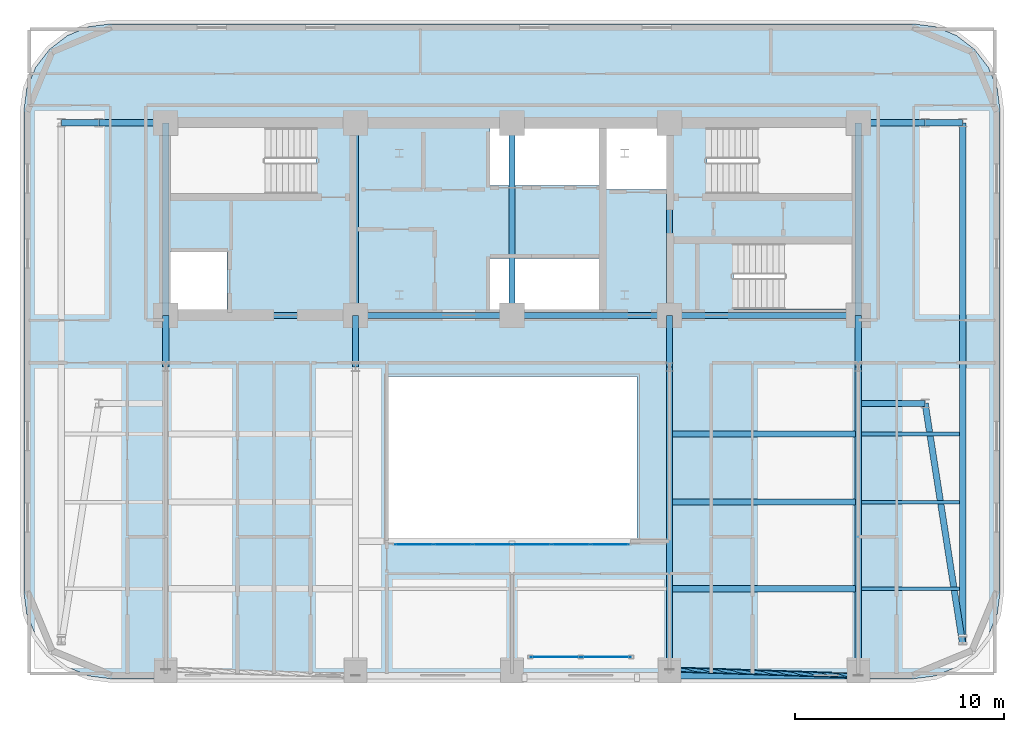
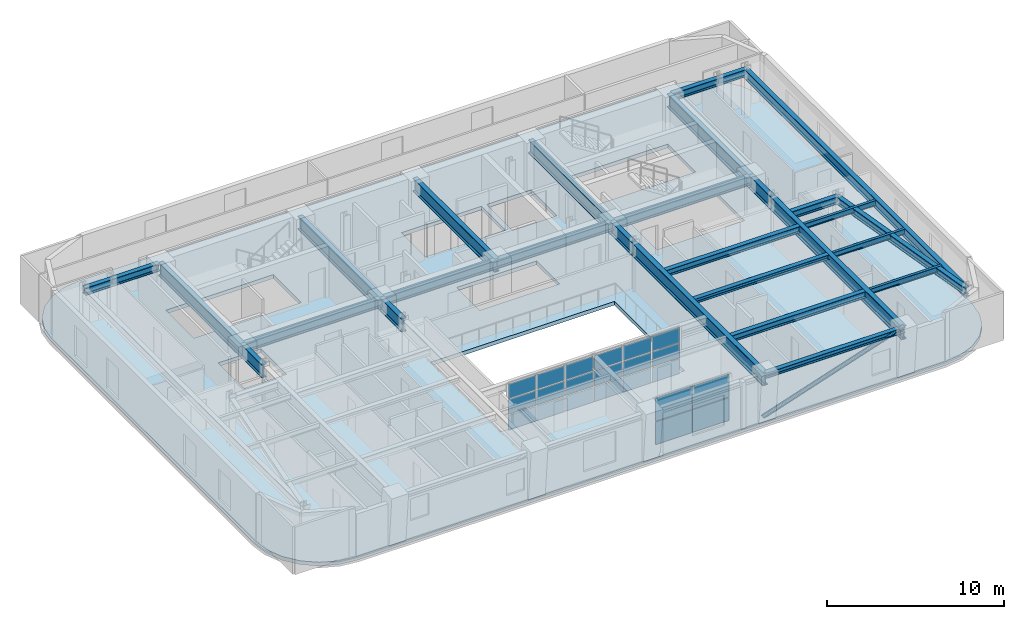
# One storey, part 3 of 13: 29 beams, 22 plates, 1 member, 1 slab, 2 elements without a shape of their own.
"""IFC4 building model written with IfcOpenShell, lengths in metres."""

from ifc_helpers import new_model, si_unit, direction, frame, origin, origin_2d, place, context, subcontext, project, spatial, polyline, rectangle, hollow_circle, i_section, outline, extrude, material, layer, layer_set, material_profile, profile_set, type_object, element, aggregate, save


model = new_model("IFC4")

# Units and contexts
model_context = context("Model", 3, precision=1e-05, world=origin(), true_north=direction((0.0, 1.0)))
body_context = subcontext(model_context, "Body", "Model", "MODEL_VIEW")
ifc_project = project(units=[si_unit("LENGTHUNIT", "METRE"), si_unit("AREAUNIT", "SQUARE_METRE"), si_unit("VOLUMEUNIT", "CUBIC_METRE"), si_unit("PLANEANGLEUNIT", "RADIAN"), si_unit("MASSUNIT", "GRAM", prefix="KILO")], contexts=[model_context])

# Site, building, storey
site_placement = place(None, origin())
site = spatial("IfcSite", under=ifc_project, at=site_placement, CompositionType="ELEMENT")
building_placement = place(site_placement, origin())
building = spatial("IfcBuilding", under=site, at=building_placement, Name="Zarnavel Station Tower", CompositionType="ELEMENT")
storey_placement = place(building_placement, frame((0.0, 0.0, 169.64990234375)))
storey = spatial("IfcBuildingStorey", under=building, at=storey_placement, Name="L46", CompositionType="ELEMENT", Elevation=169.64990234375)

# Member
ifc_material_1 = material(Name="Steel S355J2", Category="steel")
ifc_material_profile_1 = material_profile(ifc_material_1, hollow_circle(Radius=0.122314453125, WallThickness=0.010009765625, at=origin_2d()), Name="CHS244.5x10")
ifc_profile_set_1 = profile_set([ifc_material_profile_1], Name="Steel S355J2")
member_type = type_object("IfcMemberType", Name="DB_EXT_CHS245", PredefinedType="BRACE", material=ifc_profile_set_1)
member_placement = place(storey_placement, frame((36.35009765625, 10.854248046875, 0.0), z_axis=(0.939370056938, -0.030942344867, 0.341506174795), x_axis=(0.032921607344, 0.999457936969, 0.0)))
element("IfcMember", 1, at=member_placement, inside=storey, type_object=member_type, Name="L46 Persian Exterior Diagonal Frame Brace 2", PredefinedType="BRACE", context=body_context, shape_type="SweptSolid", body=[
    extrude(hollow_circle(Radius=0.122314453125, WallThickness=0.010009765625, at=origin_2d()), origin(), (0.0, 0.0, 1.0), 9.6337890625),
])

# Beams
ifc_material_2 = material(Name="Steel S355J2", Category="steel")
ifc_material_profile_2 = material_profile(ifc_material_2, i_section(OverallWidth=0.300048828125, OverallDepth=0.360107421875, WebThickness=0.012451171875, FlangeThickness=0.0224609375, FilletRadius=0.027099609375, at=origin_2d()), Name="HEB360")
ifc_profile_set_2 = profile_set([ifc_material_profile_2], Name="Steel S355J2")
beam_type_1 = type_object("IfcBeamType", Name="EB_HEB360", PredefinedType="SPANDREL", material=ifc_profile_set_2)
beam_1_placement = place(storey_placement, frame((36.35009765625, 10.55615234375, 3.110107421875), z_axis=(1.0, 0.0, 0.0), x_axis=(0.0, 1.0, 0.0)))
element("IfcBeam", 2, at=beam_1_placement, inside=storey, type_object=beam_type_1, Name="L46 South Raked Spandrel 4", PredefinedType="SPANDREL", context=body_context, shape_type="SweptSolid", body=[
    extrude(i_section(OverallWidth=0.300048828125, OverallDepth=0.360107421875, WebThickness=0.012451171875, FlangeThickness=0.0224609375, FilletRadius=0.027099609375, at=origin_2d()), origin(), (0.0, 0.0, 1.0), 9.0498046875),
])
ifc_material_3 = material(Name="Steel S355J2", Category="steel")
ifc_material_profile_3 = material_profile(ifc_material_3, i_section(OverallWidth=0.300048828125, OverallDepth=0.31005859375, WebThickness=0.009033203125, FlangeThickness=0.015380859375, FilletRadius=0.027099609375, at=origin_2d()), Name="HEA320")
ifc_profile_set_3 = profile_set([ifc_material_profile_3], Name="Steel S355J2")
beam_type_2 = type_object("IfcBeamType", Name="FB_HEA320", PredefinedType="BEAM", material=ifc_profile_set_3)
beam_2_placement = place(storey_placement, frame((36.4951171875, 18.878173828125, 3.135009765625), z_axis=(1.0, 0.0, 0.0), x_axis=(0.0, 1.0, 0.0)))
element("IfcBeam", 3, at=beam_2_placement, inside=storey, type_object=beam_type_2, Name="L46 East Bay Beam 2", PredefinedType="BEAM", context=body_context, shape_type="SweptSolid", body=[
    extrude(i_section(OverallWidth=0.300048828125, OverallDepth=0.31005859375, WebThickness=0.009033203125, FlangeThickness=0.015380859375, FilletRadius=0.027099609375, at=origin_2d()), origin(), (0.0, 0.0, 1.0), 8.759765625),
])
ifc_material_4 = material(Name="Steel S355J2", Category="steel")
ifc_material_profile_4 = material_profile(ifc_material_4, i_section(OverallWidth=0.300048828125, OverallDepth=0.43994140625, WebThickness=0.011474609375, FlangeThickness=0.02099609375, FilletRadius=0.027099609375, at=origin_2d()), Name="HEA450")
ifc_profile_set_4 = profile_set([ifc_material_profile_4], Name="Steel S355J2")
beam_type_3 = type_object("IfcBeamType", Name="FB_HEA450", PredefinedType="BEAM", material=ifc_profile_set_4)
for number, where, z_axis, x_axis, name in (
    (4, (36.4951171875, 14.71728515625, 3.070068359375), (1.0, 0.0, 0.0), (0.0, 1.0, 0.0), "L46 East Bay Beam 1"),
    (5, (36.4951171875, 22.138916015625, 3.070068359375), (1.0, 0.0, 0.0), (0.0, 1.0, 0.0), "L46 East Bay Beam 3"),
):
    element("IfcBeam", number, at=place(storey_placement, frame(where, z_axis=z_axis, x_axis=x_axis)), inside=storey, type_object=beam_type_3, Name=name, PredefinedType="BEAM", context=body_context, shape_type="SweptSolid", body=[
        extrude(i_section(OverallWidth=0.300048828125, OverallDepth=0.43994140625, WebThickness=0.011474609375, FlangeThickness=0.02099609375, FilletRadius=0.027099609375, at=origin_2d()), origin(), (0.0, 0.0, 1.0), 8.759765625),
    ])
ifc_material_5 = material(Name="Steel S355J2", Category="steel")
ifc_material_profile_5 = material_profile(ifc_material_5, i_section(OverallWidth=0.300048828125, OverallDepth=0.5, WebThickness=0.014404296875, FlangeThickness=0.028076171875, FilletRadius=0.027099609375, at=origin_2d()), Name="HEB500")
ifc_profile_set_5 = profile_set([ifc_material_profile_5], Name="Steel S355J2")
beam_type_4 = type_object("IfcBeamType", Name="FG_HEB500", PredefinedType="USERDEFINED", material=ifc_profile_set_5)
beam_3_placement = place(storey_placement, frame((7.199951171875, 37.050048828125, 3.0400390625), z_axis=(1.0, 0.0, 0.0), x_axis=(0.0, 1.0, 0.0)))
element("IfcBeam", 6, at=beam_3_placement, inside=storey, type_object=beam_type_4, Name="L46 West Wing North Tie 1", ObjectType="GIRDER", PredefinedType="USERDEFINED", context=body_context, shape_type="SweptSolid", body=[
    extrude(i_section(OverallWidth=0.300048828125, OverallDepth=0.5, WebThickness=0.014404296875, FlangeThickness=0.028076171875, FilletRadius=0.027099609375, at=origin_2d()), origin(), (0.0, 0.0, 1.0), 1.800048828125),
])
beam_4_placement = place(storey_placement, frame((9.0, 37.050048828125, 3.0400390625), z_axis=(1.0, 0.0, 0.0), x_axis=(0.0, 1.0, 0.0)))
element("IfcBeam", 7, at=beam_4_placement, inside=storey, type_object=beam_type_4, Name="L46 West Wing North Tie 2", ObjectType="GIRDER", PredefinedType="USERDEFINED", context=body_context, shape_type="SweptSolid", body=[
    extrude(i_section(OverallWidth=0.300048828125, OverallDepth=0.5, WebThickness=0.014404296875, FlangeThickness=0.028076171875, FilletRadius=0.027099609375, at=origin_2d()), origin(), (0.0, 0.0, 1.0), 3.054931640625),
])
for number, where, z_axis, x_axis, name in (
    (8, (45.544921875, 23.60009765625, 3.0400390625), (1.0, 0.0, 0.0), (0.0, 1.0, 0.0), "L46 East Wing South Tie 1"),
    (9, (45.544921875, 37.050048828125, 3.0400390625), (1.0, 0.0, 0.0), (0.0, 1.0, 0.0), "L46 East Wing North Tie 1"),
):
    element("IfcBeam", number, at=place(storey_placement, frame(where, z_axis=z_axis, x_axis=x_axis)), inside=storey, type_object=beam_type_4, Name=name, ObjectType="GIRDER", PredefinedType="USERDEFINED", context=body_context, shape_type="SweptSolid", body=[
        extrude(i_section(OverallWidth=0.300048828125, OverallDepth=0.5, WebThickness=0.014404296875, FlangeThickness=0.028076171875, FilletRadius=0.027099609375, at=origin_2d()), origin(), (0.0, 0.0, 1.0), 3.05517578125),
    ])
beam_5_placement = place(storey_placement, frame((48.60009765625, 23.60009765625, 3.0400390625), z_axis=(0.154140240777, -0.988048979643, 0.0), x_axis=(0.988048979643, 0.154140240777, 0.0)))
element("IfcBeam", 10, at=beam_5_placement, inside=storey, type_object=beam_type_4, Name="L46 East Wing South Tie 2", ObjectType="GIRDER", PredefinedType="USERDEFINED", context=body_context, shape_type="SweptSolid", body=[
    extrude(i_section(OverallWidth=0.300048828125, OverallDepth=0.5, WebThickness=0.014404296875, FlangeThickness=0.028076171875, FilletRadius=0.027099609375, at=origin_2d()), origin(), (0.0, 0.0, 1.0), 11.676513671875),
])
beam_6_placement = place(storey_placement, frame((48.60009765625, 37.050048828125, 3.0400390625), z_axis=(1.0, 0.0, 0.0), x_axis=(0.0, 1.0, 0.0)))
element("IfcBeam", 11, at=beam_6_placement, inside=storey, type_object=beam_type_4, Name="L46 East Wing North Tie 2", ObjectType="GIRDER", PredefinedType="USERDEFINED", context=body_context, shape_type="SweptSolid", body=[
    extrude(i_section(OverallWidth=0.300048828125, OverallDepth=0.5, WebThickness=0.014404296875, FlangeThickness=0.028076171875, FilletRadius=0.027099609375, at=origin_2d()), origin(), (0.0, 0.0, 1.0), 1.7998046875),
])
ifc_material_6 = material(Name="Steel S355J2", Category="steel")
ifc_material_profile_6 = material_profile(ifc_material_6, i_section(OverallWidth=0.300048828125, OverallDepth=0.60009765625, WebThickness=0.015380859375, FlangeThickness=0.030029296875, FilletRadius=0.027099609375, at=origin_2d()), Name="HEB600")
ifc_profile_set_6 = profile_set([ifc_material_profile_6], Name="Steel S355J2")
beam_type_5 = type_object("IfcBeamType", Name="FG_HEB600", PredefinedType="USERDEFINED", material=ifc_profile_set_6)
beam_7_placement = place(storey_placement, frame((12.199951171875, 27.820068359375, 2.989990234375), z_axis=(1.0, 0.0, 0.0), x_axis=(0.0, 1.0, 0.0)))
element("IfcBeam", 12, at=beam_7_placement, inside=storey, type_object=beam_type_5, Name="L46 Core Front Coupling Beam 1", ObjectType="GIRDER", PredefinedType="USERDEFINED", context=body_context, shape_type="SweptSolid", body=[
    extrude(i_section(OverallWidth=0.300048828125, OverallDepth=0.60009765625, WebThickness=0.015380859375, FlangeThickness=0.030029296875, FilletRadius=0.027099609375, at=origin_2d()), origin(), (0.0, 0.0, 1.0), 9.10009765625),
])
beam_8_placement = place(storey_placement, frame((21.300048828125, 27.820068359375, 2.989990234375), z_axis=(1.0, 0.0, 0.0), x_axis=(0.0, 1.0, 0.0)))
element("IfcBeam", 13, at=beam_8_placement, inside=storey, type_object=beam_type_5, Name="L46 Core Front Coupling Beam 2", ObjectType="GIRDER", PredefinedType="USERDEFINED", context=body_context, shape_type="SweptSolid", body=[
    extrude(i_section(OverallWidth=0.300048828125, OverallDepth=0.60009765625, WebThickness=0.015380859375, FlangeThickness=0.030029296875, FilletRadius=0.027099609375, at=origin_2d()), origin(), (0.0, 0.0, 1.0), 7.5),
])
beam_9_placement = place(storey_placement, frame((28.800048828125, 27.820068359375, 2.989990234375), z_axis=(1.0, 0.0, 0.0), x_axis=(0.0, 1.0, 0.0)))
element("IfcBeam", 14, at=beam_9_placement, inside=storey, type_object=beam_type_5, Name="L46 Core Front Coupling Beam 3", ObjectType="GIRDER", PredefinedType="USERDEFINED", context=body_context, shape_type="SweptSolid", body=[
    extrude(i_section(OverallWidth=0.300048828125, OverallDepth=0.60009765625, WebThickness=0.015380859375, FlangeThickness=0.030029296875, FilletRadius=0.027099609375, at=origin_2d()), origin(), (0.0, 0.0, 1.0), 7.550048828125),
])
beam_10_placement = place(storey_placement, frame((36.35009765625, 27.820068359375, 2.989990234375), z_axis=(1.0, 0.0, 0.0), x_axis=(0.0, 1.0, 0.0)))
element("IfcBeam", 15, at=beam_10_placement, inside=storey, type_object=beam_type_5, Name="L46 Core Front Coupling Beam 4", ObjectType="GIRDER", PredefinedType="USERDEFINED", context=body_context, shape_type="SweptSolid", body=[
    extrude(i_section(OverallWidth=0.300048828125, OverallDepth=0.60009765625, WebThickness=0.015380859375, FlangeThickness=0.030029296875, FilletRadius=0.027099609375, at=origin_2d()), origin(), (0.0, 0.0, 1.0), 9.0498046875),
])
ifc_material_7 = material(Name="Steel S355J2", Category="steel")
ifc_material_profile_7 = material_profile(ifc_material_7, i_section(OverallWidth=0.300048828125, OverallDepth=0.64990234375, WebThickness=0.01611328125, FlangeThickness=0.031005859375, FilletRadius=0.027099609375, at=origin_2d()), Name="HEB650")
ifc_profile_set_7 = profile_set([ifc_material_profile_7], Name="Steel S355J2")
beam_type_6 = type_object("IfcBeamType", Name="FG_HEB650", PredefinedType="USERDEFINED", material=ifc_profile_set_7)
beam_11_placement = place(storey_placement, frame((50.39990234375, 12.063232421875, 2.965087890625), z_axis=(0.0, 1.0, 0.0), x_axis=(-1.0, 0.0, 0.0)))
element("IfcBeam", 16, at=beam_11_placement, inside=storey, type_object=beam_type_6, Name="L46 Wing NS Girder 2", ObjectType="GIRDER", PredefinedType="USERDEFINED", context=body_context, shape_type="SweptSolid", body=[
    extrude(i_section(OverallWidth=0.300048828125, OverallDepth=0.64990234375, WebThickness=0.01611328125, FlangeThickness=0.031005859375, FilletRadius=0.027099609375, at=origin_2d()), origin(), (0.0, 0.0, 1.0), 24.98681640625),
])
ifc_material_8 = material(Name="Steel S355J2", Category="steel")
ifc_material_profile_8 = material_profile(ifc_material_8, i_section(OverallWidth=0.169921875, OverallDepth=0.360107421875, WebThickness=0.008056640625, FlangeThickness=0.0126953125, FilletRadius=0.01806640625, at=origin_2d()), Name="IPE360")
ifc_profile_set_8 = profile_set([ifc_material_profile_8], Name="Steel S355J2")
beam_type_7 = type_object("IfcBeamType", Name="FJ_IPE360", PredefinedType="JOIST", material=ifc_profile_set_8)
for number, where, z_axis, x_axis, name in (
    (17, (45.544921875, 14.71728515625, 3.110107421875), (1.0, 0.0, 0.0), (0.0, 1.0, 0.0), "L46 East Wing Joist 1"),
    (18, (45.544921875, 18.878173828125, 3.110107421875), (1.0, 0.0, 0.0), (0.0, 1.0, 0.0), "L46 East Wing Joist 2"),
    (19, (45.544921875, 22.138916015625, 3.110107421875), (1.0, 0.0, 0.0), (0.0, 1.0, 0.0), "L46 East Wing Joist 3"),
):
    element("IfcBeam", number, at=place(storey_placement, frame(where, z_axis=z_axis, x_axis=x_axis)), inside=storey, type_object=beam_type_7, Name=name, PredefinedType="JOIST", context=body_context, shape_type="SweptSolid", body=[
        extrude(i_section(OverallWidth=0.169921875, OverallDepth=0.360107421875, WebThickness=0.008056640625, FlangeThickness=0.0126953125, FilletRadius=0.01806640625, at=origin_2d()), origin(), (0.0, 0.0, 1.0), 4.7099609375),
    ])
ifc_material_9 = material(Name="Steel S460M", Category="steel")
ifc_material_profile_9 = material_profile(ifc_material_9, i_section(OverallWidth=0.302001953125, OverallDepth=0.909912109375, WebThickness=0.02099609375, FlangeThickness=0.0400390625, FilletRadius=0.030029296875, at=origin_2d()), Name="HEM900")
ifc_profile_set_9 = profile_set([ifc_material_profile_9], Name="Steel S460M")
beam_type_8 = type_object("IfcBeamType", Name="TG_HEM900", PredefinedType="USERDEFINED", material=ifc_profile_set_9)
for number, where, z_axis, x_axis, name in (
    (20, (12.199951171875, 27.820068359375, 2.835205078125), (0.0, 1.0, 0.0), (-1.0, 0.0, 0.0), "L46 Core Spine Coupling Girder 1"),
    (21, (21.300048828125, 27.820068359375, 2.835205078125), (0.0, 1.0, 0.0), (-1.0, 0.0, 0.0), "L46 Core Spine Coupling Girder 2"),
    (22, (28.800048828125, 27.820068359375, 2.835205078125), (0.0, 1.0, 0.0), (-1.0, 0.0, 0.0), "L46 Core Spine Coupling Girder 3"),
    (23, (36.35009765625, 27.820068359375, 2.835205078125), (0.0, 1.0, 0.0), (-1.0, 0.0, 0.0), "L46 Core Spine Coupling Girder 4"),
    (24, (45.39990234375, 27.820068359375, 2.835205078125), (0.0, 1.0, 0.0), (-1.0, 0.0, 0.0), "L46 Core Spine Coupling Girder 5"),
):
    element("IfcBeam", number, at=place(storey_placement, frame(where, z_axis=z_axis, x_axis=x_axis)), inside=storey, type_object=beam_type_8, Name=name, ObjectType="GIRDER", PredefinedType="USERDEFINED", context=body_context, shape_type="SweptSolid", body=[
        extrude(i_section(OverallWidth=0.302001953125, OverallDepth=0.909912109375, WebThickness=0.02099609375, FlangeThickness=0.0400390625, FilletRadius=0.030029296875, at=origin_2d()), origin(), (0.0, 0.0, 1.0), 9.22998046875),
    ])
for number, where, z_axis, x_axis, name in (
    (25, (12.199951171875, 25.35009765625, 2.835205078125), (0.0, 1.0, 0.0), (-1.0, 0.0, 0.0), "L46 Inner-Zone NS Girder 1"),
    (26, (21.300048828125, 25.35009765625, 2.835205078125), (0.0, 1.0, 0.0), (-1.0, 0.0, 0.0), "L46 Inner-Zone NS Girder 2"),
):
    element("IfcBeam", number, at=place(storey_placement, frame(where, z_axis=z_axis, x_axis=x_axis)), inside=storey, type_object=beam_type_8, Name=name, ObjectType="GIRDER", PredefinedType="USERDEFINED", context=body_context, shape_type="SweptSolid", body=[
        extrude(i_section(OverallWidth=0.302001953125, OverallDepth=0.909912109375, WebThickness=0.02099609375, FlangeThickness=0.0400390625, FilletRadius=0.030029296875, at=origin_2d()), origin(), (0.0, 0.0, 1.0), 2.469970703125),
    ])
beam_12_placement = place(storey_placement, frame((36.35009765625, 10.55615234375, 2.835205078125), z_axis=(0.0, 1.0, 0.0), x_axis=(-1.0, 0.0, 0.0)))
element("IfcBeam", 27, at=beam_12_placement, inside=storey, type_object=beam_type_8, Name="L46 South-Zone NS Girder 4", ObjectType="GIRDER", PredefinedType="USERDEFINED", context=body_context, shape_type="SweptSolid", body=[
    extrude(i_section(OverallWidth=0.302001953125, OverallDepth=0.909912109375, WebThickness=0.02099609375, FlangeThickness=0.0400390625, FilletRadius=0.030029296875, at=origin_2d()), origin(), (0.0, 0.0, 1.0), 14.7939453125),
])
beam_13_placement = place(storey_placement, frame((36.35009765625, 25.35009765625, 2.835205078125), z_axis=(0.0, 1.0, 0.0), x_axis=(-1.0, 0.0, 0.0)))
element("IfcBeam", 28, at=beam_13_placement, inside=storey, type_object=beam_type_8, Name="L46 Inner-Zone NS Girder 4", ObjectType="GIRDER", PredefinedType="USERDEFINED", context=body_context, shape_type="SweptSolid", body=[
    extrude(i_section(OverallWidth=0.302001953125, OverallDepth=0.909912109375, WebThickness=0.02099609375, FlangeThickness=0.0400390625, FilletRadius=0.030029296875, at=origin_2d()), origin(), (0.0, 0.0, 1.0), 2.469970703125),
])
beam_14_placement = place(storey_placement, frame((45.39990234375, 10.55615234375, 2.835205078125), z_axis=(0.0, 1.0, 0.0), x_axis=(-1.0, 0.0, 0.0)))
element("IfcBeam", 29, at=beam_14_placement, inside=storey, type_object=beam_type_8, Name="L46 South-Zone NS Girder 5", ObjectType="GIRDER", PredefinedType="USERDEFINED", context=body_context, shape_type="SweptSolid", body=[
    extrude(i_section(OverallWidth=0.302001953125, OverallDepth=0.909912109375, WebThickness=0.02099609375, FlangeThickness=0.0400390625, FilletRadius=0.030029296875, at=origin_2d()), origin(), (0.0, 0.0, 1.0), 14.7939453125),
])
beam_15_placement = place(storey_placement, frame((45.39990234375, 25.35009765625, 2.835205078125), z_axis=(0.0, 1.0, 0.0), x_axis=(-1.0, 0.0, 0.0)))
element("IfcBeam", 30, at=beam_15_placement, inside=storey, type_object=beam_type_8, Name="L46 Inner-Zone NS Girder 5", ObjectType="GIRDER", PredefinedType="USERDEFINED", context=body_context, shape_type="SweptSolid", body=[
    extrude(i_section(OverallWidth=0.302001953125, OverallDepth=0.909912109375, WebThickness=0.02099609375, FlangeThickness=0.0400390625, FilletRadius=0.030029296875, at=origin_2d()), origin(), (0.0, 0.0, 1.0), 2.469970703125),
])

# Curtain wall, plates
ifc_material_10 = material(Name="Aluminium Dark Anodised and Solar-Control Glass", Category="aluminium")
ifc_layer_1 = layer(ifc_material_10, 0.179931640625)
ifc_layer_set_1 = layer_set([ifc_layer_1], Name="CWS4")
curtain_wall_type_1 = type_object("IfcCurtainWallType", Name="CWS4", PredefinedType="NOTDEFINED", material=ifc_layer_set_1)
curtain_wall_1_placement = place(storey_placement, origin())
curtain_wall_1 = element("IfcCurtainWall", 31, at=curtain_wall_1_placement, inside=storey, type_object=curtain_wall_type_1, Name="L46 Curtain Wall CWS4-L46-AS", PredefinedType="NOTDEFINED")
ifc_material_11 = material(Name="Double Low-E Dark Solar-Control Glass", Category="glass")
ifc_layer_2 = layer(ifc_material_11, 0.031982421875)
ifc_layer_set_2 = layer_set([ifc_layer_2], Name="CWS4_PNL")
plate_type_1 = type_object("IfcPlateType", Name="CWS4_PNL", PredefinedType="CURTAIN_PANEL", material=ifc_layer_set_2)
plate_1_placement = place(storey_placement, frame((24.106689453125, 16.85009765625, 0.06005859375), z_axis=(0.0, 0.0, 1.0), x_axis=(1.0, 0.0, 0.0)))
plate_1 = element("IfcPlate", 32, at=plate_1_placement, type_object=plate_type_1, Name="CW4 panel 1.1", PredefinedType="CURTAIN_PANEL", context=body_context, shape_type="SweptSolid", body=[
    extrude(rectangle(XDim=1.793212890625, YDim=0.028076171875, at=origin_2d()), origin(), (0.0, 0.0, 1.0), 1.006591796875),
])
plate_2_placement = place(storey_placement, frame((24.106689453125, 16.85009765625, 1.126708984375), z_axis=(0.0, 0.0, 1.0), x_axis=(1.0, 0.0, 0.0)))
plate_2 = element("IfcPlate", 33, at=plate_2_placement, type_object=plate_type_1, Name="CW4 panel 1.2", PredefinedType="CURTAIN_PANEL", context=body_context, shape_type="SweptSolid", body=[
    extrude(rectangle(XDim=1.793212890625, YDim=0.028076171875, at=origin_2d()), origin(), (0.0, 0.0, 1.0), 1.03662109375),
])
plate_3_placement = place(storey_placement, frame((24.106689453125, 16.85009765625, 2.2236328125), z_axis=(0.0, 0.0, 1.0), x_axis=(1.0, 0.0, 0.0)))
plate_3 = element("IfcPlate", 34, at=plate_3_placement, type_object=plate_type_1, Name="CW4 panel 1.3", PredefinedType="CURTAIN_PANEL", context=body_context, shape_type="SweptSolid", body=[
    extrude(rectangle(XDim=1.793212890625, YDim=0.028076171875, at=origin_2d()), origin(), (0.0, 0.0, 1.0), 1.006591796875),
])
plate_4_placement = place(storey_placement, frame((25.97509765625, 16.85009765625, 0.06005859375), z_axis=(0.0, 0.0, 1.0), x_axis=(1.0, 0.0, 0.0)))
plate_4 = element("IfcPlate", 35, at=plate_4_placement, type_object=plate_type_1, Name="CW4 panel 2.1", PredefinedType="CURTAIN_PANEL", context=body_context, shape_type="SweptSolid", body=[
    extrude(rectangle(XDim=1.8232421875, YDim=0.028076171875, at=origin_2d()), origin(), (0.0, 0.0, 1.0), 1.006591796875),
])
plate_5_placement = place(storey_placement, frame((25.97509765625, 16.85009765625, 1.126708984375), z_axis=(0.0, 0.0, 1.0), x_axis=(1.0, 0.0, 0.0)))
plate_5 = element("IfcPlate", 36, at=plate_5_placement, type_object=plate_type_1, Name="CW4 panel 2.2", PredefinedType="CURTAIN_PANEL", context=body_context, shape_type="SweptSolid", body=[
    extrude(rectangle(XDim=1.8232421875, YDim=0.028076171875, at=origin_2d()), origin(), (0.0, 0.0, 1.0), 1.03662109375),
])
plate_6_placement = place(storey_placement, frame((25.97509765625, 16.85009765625, 2.2236328125), z_axis=(0.0, 0.0, 1.0), x_axis=(1.0, 0.0, 0.0)))
plate_6 = element("IfcPlate", 37, at=plate_6_placement, type_object=plate_type_1, Name="CW4 panel 2.3", PredefinedType="CURTAIN_PANEL", context=body_context, shape_type="SweptSolid", body=[
    extrude(rectangle(XDim=1.8232421875, YDim=0.028076171875, at=origin_2d()), origin(), (0.0, 0.0, 1.0), 1.006591796875),
])
plate_7_placement = place(storey_placement, frame((27.8583984375, 16.85009765625, 0.06005859375), z_axis=(0.0, 0.0, 1.0), x_axis=(1.0, 0.0, 0.0)))
plate_7 = element("IfcPlate", 38, at=plate_7_placement, type_object=plate_type_1, Name="CW4 panel 3.1", PredefinedType="CURTAIN_PANEL", context=body_context, shape_type="SweptSolid", body=[
    extrude(rectangle(XDim=1.8232421875, YDim=0.028076171875, at=origin_2d()), origin(), (0.0, 0.0, 1.0), 1.006591796875),
])
plate_8_placement = place(storey_placement, frame((27.8583984375, 16.85009765625, 1.126708984375), z_axis=(0.0, 0.0, 1.0), x_axis=(1.0, 0.0, 0.0)))
plate_8 = element("IfcPlate", 39, at=plate_8_placement, type_object=plate_type_1, Name="CW4 panel 3.2", PredefinedType="CURTAIN_PANEL", context=body_context, shape_type="SweptSolid", body=[
    extrude(rectangle(XDim=1.8232421875, YDim=0.028076171875, at=origin_2d()), origin(), (0.0, 0.0, 1.0), 1.03662109375),
])
plate_9_placement = place(storey_placement, frame((27.8583984375, 16.85009765625, 2.2236328125), z_axis=(0.0, 0.0, 1.0), x_axis=(1.0, 0.0, 0.0)))
plate_9 = element("IfcPlate", 40, at=plate_9_placement, type_object=plate_type_1, Name="CW4 panel 3.3", PredefinedType="CURTAIN_PANEL", context=body_context, shape_type="SweptSolid", body=[
    extrude(rectangle(XDim=1.8232421875, YDim=0.028076171875, at=origin_2d()), origin(), (0.0, 0.0, 1.0), 1.006591796875),
])
plate_10_placement = place(storey_placement, frame((29.74169921875, 16.85009765625, 0.06005859375), z_axis=(0.0, 0.0, 1.0), x_axis=(1.0, 0.0, 0.0)))
plate_10 = element("IfcPlate", 41, at=plate_10_placement, type_object=plate_type_1, Name="CW4 panel 4.1", PredefinedType="CURTAIN_PANEL", context=body_context, shape_type="SweptSolid", body=[
    extrude(rectangle(XDim=1.8232421875, YDim=0.028076171875, at=origin_2d()), origin(), (0.0, 0.0, 1.0), 1.006591796875),
])
plate_11_placement = place(storey_placement, frame((29.74169921875, 16.85009765625, 1.126708984375), z_axis=(0.0, 0.0, 1.0), x_axis=(1.0, 0.0, 0.0)))
plate_11 = element("IfcPlate", 42, at=plate_11_placement, type_object=plate_type_1, Name="CW4 panel 4.2", PredefinedType="CURTAIN_PANEL", context=body_context, shape_type="SweptSolid", body=[
    extrude(rectangle(XDim=1.8232421875, YDim=0.028076171875, at=origin_2d()), origin(), (0.0, 0.0, 1.0), 1.03662109375),
])
plate_12_placement = place(storey_placement, frame((29.74169921875, 16.85009765625, 2.2236328125), z_axis=(0.0, 0.0, 1.0), x_axis=(1.0, 0.0, 0.0)))
plate_12 = element("IfcPlate", 43, at=plate_12_placement, type_object=plate_type_1, Name="CW4 panel 4.3", PredefinedType="CURTAIN_PANEL", context=body_context, shape_type="SweptSolid", body=[
    extrude(rectangle(XDim=1.8232421875, YDim=0.028076171875, at=origin_2d()), origin(), (0.0, 0.0, 1.0), 1.006591796875),
])
plate_13_placement = place(storey_placement, frame((31.625, 16.85009765625, 0.06005859375), z_axis=(0.0, 0.0, 1.0), x_axis=(1.0, 0.0, 0.0)))
plate_13 = element("IfcPlate", 44, at=plate_13_placement, type_object=plate_type_1, Name="CW4 panel 5.1", PredefinedType="CURTAIN_PANEL", context=body_context, shape_type="SweptSolid", body=[
    extrude(rectangle(XDim=1.8232421875, YDim=0.028076171875, at=origin_2d()), origin(), (0.0, 0.0, 1.0), 1.006591796875),
])
plate_14_placement = place(storey_placement, frame((31.625, 16.85009765625, 1.126708984375), z_axis=(0.0, 0.0, 1.0), x_axis=(1.0, 0.0, 0.0)))
plate_14 = element("IfcPlate", 45, at=plate_14_placement, type_object=plate_type_1, Name="CW4 panel 5.2", PredefinedType="CURTAIN_PANEL", context=body_context, shape_type="SweptSolid", body=[
    extrude(rectangle(XDim=1.8232421875, YDim=0.028076171875, at=origin_2d()), origin(), (0.0, 0.0, 1.0), 1.03662109375),
])
plate_15_placement = place(storey_placement, frame((31.625, 16.85009765625, 2.2236328125), z_axis=(0.0, 0.0, 1.0), x_axis=(1.0, 0.0, 0.0)))
plate_15 = element("IfcPlate", 46, at=plate_15_placement, type_object=plate_type_1, Name="CW4 panel 5.3", PredefinedType="CURTAIN_PANEL", context=body_context, shape_type="SweptSolid", body=[
    extrude(rectangle(XDim=1.8232421875, YDim=0.028076171875, at=origin_2d()), origin(), (0.0, 0.0, 1.0), 1.006591796875),
])
plate_16_placement = place(storey_placement, frame((33.493408203125, 16.85009765625, 0.06005859375), z_axis=(0.0, 0.0, 1.0), x_axis=(1.0, 0.0, 0.0)))
plate_16 = element("IfcPlate", 47, at=plate_16_placement, type_object=plate_type_1, Name="CW4 panel 6.1", PredefinedType="CURTAIN_PANEL", context=body_context, shape_type="SweptSolid", body=[
    extrude(rectangle(XDim=1.793212890625, YDim=0.028076171875, at=origin_2d()), origin(), (0.0, 0.0, 1.0), 1.006591796875),
])
plate_17_placement = place(storey_placement, frame((33.493408203125, 16.85009765625, 1.126708984375), z_axis=(0.0, 0.0, 1.0), x_axis=(1.0, 0.0, 0.0)))
plate_17 = element("IfcPlate", 48, at=plate_17_placement, type_object=plate_type_1, Name="CW4 panel 6.2", PredefinedType="CURTAIN_PANEL", context=body_context, shape_type="SweptSolid", body=[
    extrude(rectangle(XDim=1.793212890625, YDim=0.028076171875, at=origin_2d()), origin(), (0.0, 0.0, 1.0), 1.03662109375),
])
plate_18_placement = place(storey_placement, frame((33.493408203125, 16.85009765625, 2.2236328125), z_axis=(0.0, 0.0, 1.0), x_axis=(1.0, 0.0, 0.0)))
plate_18 = element("IfcPlate", 49, at=plate_18_placement, type_object=plate_type_1, Name="CW4 panel 6.3", PredefinedType="CURTAIN_PANEL", context=body_context, shape_type="SweptSolid", body=[
    extrude(rectangle(XDim=1.793212890625, YDim=0.028076171875, at=origin_2d()), origin(), (0.0, 0.0, 1.0), 1.006591796875),
])
aggregate(curtain_wall_1, [plate_1, plate_2, plate_3, plate_4, plate_5, plate_6, plate_7, plate_8, plate_9, plate_10, plate_11, plate_12, plate_13, plate_14, plate_15, plate_16, plate_17, plate_18])

ifc_material_12 = material(Name="Aluminium Dark Anodised and Solar-Control Glass", Category="aluminium")
ifc_layer_3 = layer(ifc_material_12, 0.179931640625)
ifc_layer_set_3 = layer_set([ifc_layer_3], Name="CWS6")
curtain_wall_type_2 = type_object("IfcCurtainWallType", Name="CWS6", PredefinedType="NOTDEFINED", material=ifc_layer_set_3)
curtain_wall_2_placement = place(storey_placement, origin())
curtain_wall_2 = element("IfcCurtainWall", 50, at=curtain_wall_2_placement, inside=storey, type_object=curtain_wall_type_2, Name="L46 Curtain Wall CWS6-LOG-L46", PredefinedType="NOTDEFINED")
ifc_material_13 = material(Name="Double Low-E Dark Solar-Control Glass", Category="glass")
ifc_layer_4 = layer(ifc_material_13, 0.0380859375)
ifc_layer_set_4 = layer_set([ifc_layer_4], Name="CWS6_PNL")
plate_type_2 = type_object("IfcPlateType", Name="CWS6_PNL", PredefinedType="CURTAIN_PANEL", material=ifc_layer_set_4)
plate_19_placement = place(storey_placement, frame((30.889892578125, 11.449951171875, 0.06005859375), z_axis=(0.0, 0.0, 1.0), x_axis=(1.0, 0.0, 0.0)))
plate_19 = element("IfcPlate", 51, at=plate_19_placement, type_object=plate_type_2, Name="CW6 panel 1.1", PredefinedType="CURTAIN_PANEL", context=body_context, shape_type="SweptSolid", body=[
    extrude(rectangle(XDim=2.360107421875, YDim=0.028076171875, at=origin_2d()), origin(), (0.0, 0.0, 1.0), 1.554931640625),
])
plate_20_placement = place(storey_placement, frame((30.889892578125, 11.449951171875, 1.67529296875), z_axis=(0.0, 0.0, 1.0), x_axis=(1.0, 0.0, 0.0)))
plate_20 = element("IfcPlate", 52, at=plate_20_placement, type_object=plate_type_2, Name="CW6 panel 1.2", PredefinedType="CURTAIN_PANEL", context=body_context, shape_type="SweptSolid", body=[
    extrude(rectangle(XDim=2.360107421875, YDim=0.028076171875, at=origin_2d()), origin(), (0.0, 0.0, 1.0), 1.554931640625),
])
plate_21_placement = place(storey_placement, frame((33.31005859375, 11.449951171875, 0.06005859375), z_axis=(0.0, 0.0, 1.0), x_axis=(1.0, 0.0, 0.0)))
plate_21 = element("IfcPlate", 53, at=plate_21_placement, type_object=plate_type_2, Name="CW6 panel 2.1", PredefinedType="CURTAIN_PANEL", context=body_context, shape_type="SweptSolid", body=[
    extrude(rectangle(XDim=2.360107421875, YDim=0.028076171875, at=origin_2d()), origin(), (0.0, 0.0, 1.0), 1.554931640625),
])
plate_22_placement = place(storey_placement, frame((33.31005859375, 11.449951171875, 1.67529296875), z_axis=(0.0, 0.0, 1.0), x_axis=(1.0, 0.0, 0.0)))
plate_22 = element("IfcPlate", 54, at=plate_22_placement, type_object=plate_type_2, Name="CW6 panel 2.2", PredefinedType="CURTAIN_PANEL", context=body_context, shape_type="SweptSolid", body=[
    extrude(rectangle(XDim=2.360107421875, YDim=0.028076171875, at=origin_2d()), origin(), (0.0, 0.0, 1.0), 1.554931640625),
])
aggregate(curtain_wall_2, [plate_19, plate_20, plate_21, plate_22])

# Slab
ifc_material_14 = material(Name="Concrete C45/55", Category="concrete")
ifc_layer_5 = layer(ifc_material_14, 0.260009765625)
ifc_layer_set_5 = layer_set([ifc_layer_5], Name="SL_FLR_260")
slab_type = type_object("IfcSlabType", Name="SL_FLR_260", PredefinedType="FLOOR", material=ifc_layer_set_5)
slab_placement = place(storey_placement, frame((0.0, 0.0, -0.260009765625)))
element("IfcSlab", 55, at=slab_placement, inside=storey, type_object=slab_type, Name="L46 Structural Floor Slab", PredefinedType="FLOOR", context=body_context, shape_type="SweptSolid", body=[
    extrude(outline(polyline([(48.0, 10.39990234375), (49.0869140625, 10.543212890625), (50.10009765625, 10.962646484375), (50.9697265625, 11.630126953125), (51.63720703125, 12.5), (52.056884765625, 13.512939453125), (52.199951171875, 14.60009765625), (52.199951171875, 37.60009765625), (52.056884765625, 38.68701171875), (51.63720703125, 39.699951171875), (50.9697265625, 40.56982421875), (50.10009765625, 41.2373046875), (49.0869140625, 41.656982421875), (48.0, 41.800048828125), (9.60009765625, 41.800048828125), (8.512939453125, 41.656982421875), (7.5, 41.2373046875), (6.630126953125, 40.56982421875), (5.962646484375, 39.699951171875), (5.543212890625, 38.68701171875), (5.39990234375, 37.60009765625), (5.39990234375, 14.60009765625), (5.543212890625, 13.512939453125), (5.962646484375, 12.5), (6.630126953125, 11.630126953125), (7.5, 10.962646484375), (8.512939453125, 10.543212890625), (9.60009765625, 10.39990234375), (48.0, 10.39990234375)]), holes=[polyline([(12.39990234375, 33.659912109375), (19.409912109375, 33.659912109375), (19.409912109375, 36.820068359375), (12.39990234375, 36.820068359375), (12.39990234375, 33.659912109375)]), polyline([(38.14990234375, 33.659912109375), (45.159912109375, 33.659912109375), (45.159912109375, 36.820068359375), (38.14990234375, 36.820068359375), (38.14990234375, 33.659912109375)]), polyline([(39.419921875, 28.1201171875), (45.14990234375, 28.1201171875), (45.14990234375, 31.280029296875), (39.419921875, 31.280029296875), (39.419921875, 28.1201171875)]), polyline([(12.35009765625, 27.949951171875), (15.14990234375, 27.949951171875), (15.14990234375, 30.85009765625), (12.35009765625, 30.85009765625), (12.35009765625, 27.949951171875)]), polyline([(33.320068359375, 33.85009765625), (36.2099609375, 33.85009765625), (36.2099609375, 36.780029296875), (33.320068359375, 36.780029296875), (33.320068359375, 33.85009765625)]), polyline([(27.75, 34.050048828125), (32.97998046875, 34.050048828125), (32.97998046875, 36.780029296875), (27.75, 36.780029296875), (27.75, 34.050048828125)]), polyline([(27.75, 27.949951171875), (32.97998046875, 27.949951171875), (32.97998046875, 30.550048828125), (27.75, 30.550048828125), (27.75, 27.949951171875)]), polyline([(22.800048828125, 17.0), (34.800048828125, 17.0), (34.800048828125, 24.89990234375), (22.800048828125, 24.89990234375), (22.800048828125, 17.0)])]), origin(), (0.0, 0.0, 1.0), 0.260009765625),
])

save(model, "model.ifc")
